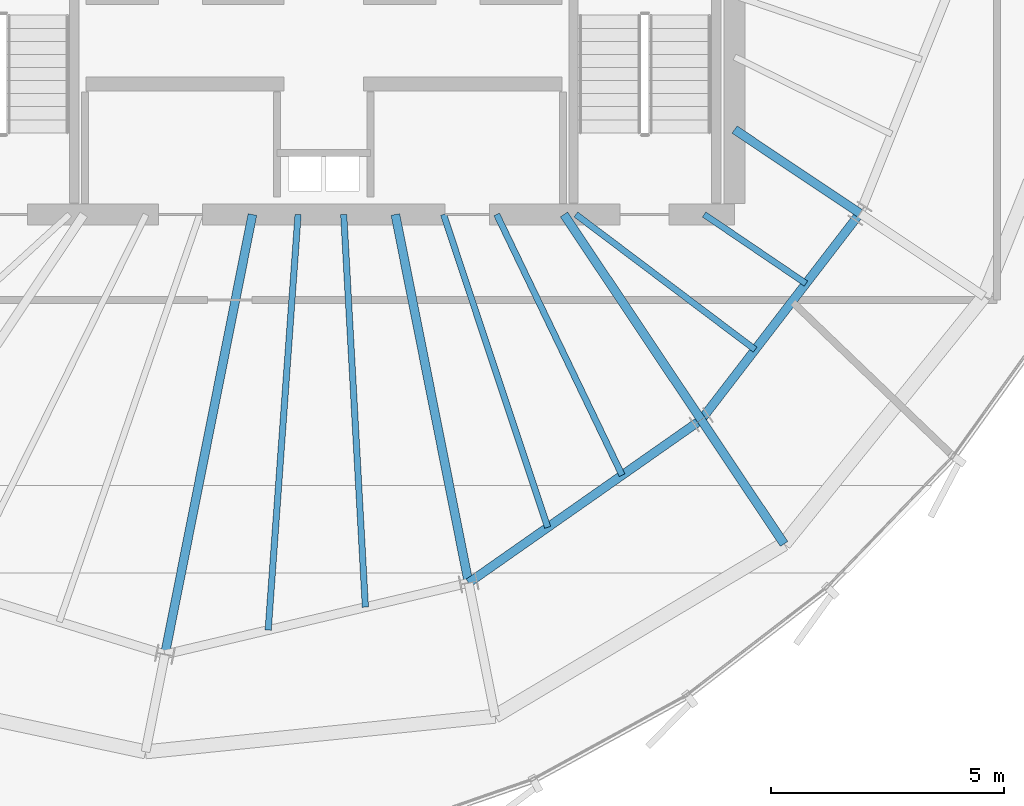
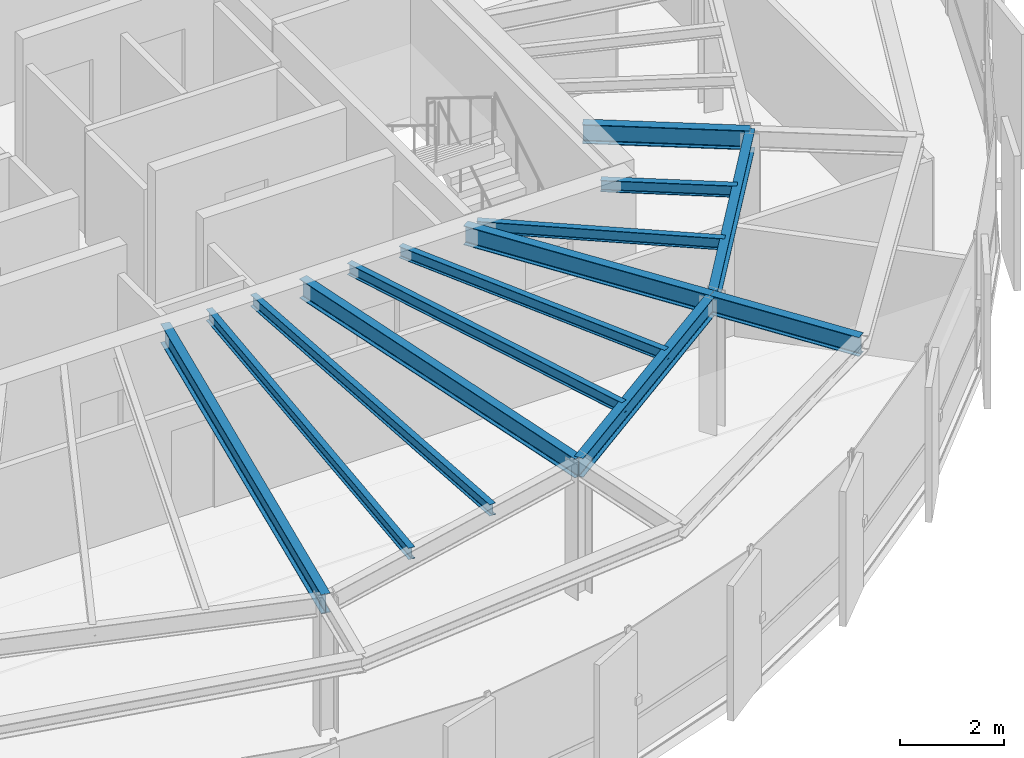
# One storey, part 8 of 31: 13 beams.
"""IFC4 building model written with IfcOpenShell, lengths in metres."""

from ifc_helpers import new_model, si_unit, direction, frame, origin, origin_2d, place, context, subcontext, project, spatial, i_section, extrude, source, transform, mapped, material, material_profile, profile_set, type_object, element, save


model = new_model("IFC4")

# Units and contexts
model_context = context("Model", 3, precision=1e-05, world=origin(), true_north=direction((0.0, 1.0)))
body_context = subcontext(model_context, "Body", "Model", "MODEL_VIEW")
ifc_project = project(units=[si_unit("LENGTHUNIT", "METRE"), si_unit("AREAUNIT", "SQUARE_METRE"), si_unit("VOLUMEUNIT", "CUBIC_METRE"), si_unit("PLANEANGLEUNIT", "RADIAN"), si_unit("MASSUNIT", "GRAM", prefix="KILO"), si_unit("THERMODYNAMICTEMPERATUREUNIT", "KELVIN")], contexts=[model_context])

# Site, building, storey
site_placement = place(None, origin())
site = spatial("IfcSite", under=ifc_project, at=site_placement, CompositionType="ELEMENT")
building_placement = place(site_placement, origin())
building = spatial("IfcBuilding", under=site, at=building_placement, Name="Kethvar Cultural Tower", CompositionType="ELEMENT")
storey_placement = place(building_placement, frame((0.0, 0.0, 269.800048828125)))
storey = spatial("IfcBuildingStorey", under=building, at=storey_placement, Name="L71", CompositionType="ELEMENT", Elevation=269.800048828125)

# Beams
ifc_material = material(Name="Steel S355J2", Category="steel")
ifc_material_profile_1 = material_profile(ifc_material, i_section(OverallWidth=0.18994140625, OverallDepth=0.449951171875, WebThickness=0.009521484375, FlangeThickness=0.0146484375, FilletRadius=0.02099609375, at=origin_2d()), Name="Steel S355J2 — IPE450")
ifc_profile_set_1 = profile_set([ifc_material_profile_1], Name="Steel S355J2 — IPE450")
beam_type_1 = type_object("IfcBeamType", Name="BM-IPE450", PredefinedType="BEAM", material=ifc_profile_set_1)
shared_shape_1 = source(origin(), body_context, "Body", "SweptSolid", [
    extrude(i_section(OverallWidth=0.18994140625, OverallDepth=0.449951171875, WebThickness=0.009521484375, FlangeThickness=0.0146484375, FilletRadius=0.02099609375, at=origin_2d()), origin(), (0.0, 0.0, 1.0), 3.199951171875),
])
beam_1_placement = place(storey_placement, frame((54.885009765625, 15.7001953125, 2.98291015625), z_axis=(0.555492222339, -0.83152173208, 0.0), x_axis=(0.83152173208, 0.555492222339, 0.0)))
element("IfcBeam", 1, at=beam_1_placement, inside=storey, type_object=beam_type_1, Name="L71 Perimeter Cantilever Beam RC-14", PredefinedType="BEAM", context=body_context, shape_type="MappedRepresentation", body=[
    mapped(shared_shape_1, transform((0.0, 0.0, 0.0), scale=1.0)),
])
shared_shape_2 = source(origin(), body_context, "Body", "SweptSolid", [
    extrude(i_section(OverallWidth=0.18994140625, OverallDepth=0.449951171875, WebThickness=0.009521484375, FlangeThickness=0.0146484375, FilletRadius=0.02099609375, at=origin_2d()), origin(), (0.0, 0.0, 1.0), 9.613525390625),
])
beam_2_placement = place(storey_placement, frame((45.268310546875, 20.10009765625, 2.98291015625), z_axis=(-0.195090428816, -0.980785259159, 0.0), x_axis=(0.980785259159, -0.195090428816, 0.0)))
element("IfcBeam", 2, at=beam_2_placement, inside=storey, type_object=beam_type_1, Name="L71 Primary Radial Beam RB-12", PredefinedType="BEAM", context=body_context, shape_type="MappedRepresentation", body=[
    mapped(shared_shape_2, transform((0.0, 0.0, 0.0), scale=1.0)),
])
shared_shape_3 = source(origin(), body_context, "Body", "SweptSolid", [
    extrude(i_section(OverallWidth=0.18994140625, OverallDepth=0.449951171875, WebThickness=0.009521484375, FlangeThickness=0.0146484375, FilletRadius=0.02099609375, at=origin_2d()), origin(), (0.0, 0.0, 1.0), 8.0478515625),
])
beam_3_placement = place(storey_placement, frame((48.33154296875, 20.10009765625, 2.98291015625), z_axis=(0.195089278796, -0.980785487912, 0.0), x_axis=(0.980785487912, 0.195089278796, 0.0)))
element("IfcBeam", 3, at=beam_3_placement, inside=storey, type_object=beam_type_1, Name="L71 Primary Radial Beam RB-13", PredefinedType="BEAM", context=body_context, shape_type="MappedRepresentation", body=[
    mapped(shared_shape_3, transform((0.0, 0.0, 0.0), scale=1.0)),
])
shared_shape_4 = source(origin(), body_context, "Body", "SweptSolid", [
    extrude(i_section(OverallWidth=0.18994140625, OverallDepth=0.449951171875, WebThickness=0.009521484375, FlangeThickness=0.0146484375, FilletRadius=0.02099609375, at=origin_2d()), origin(), (0.0, 0.0, 1.0), 5.291748046875),
])
beam_4_placement = place(storey_placement, frame((51.945068359375, 20.10009765625, 2.98291015625), z_axis=(0.555572931011, -0.831467809556, 0.0), x_axis=(0.831467809556, 0.555572931011, 0.0)))
element("IfcBeam", 4, at=beam_4_placement, inside=storey, type_object=beam_type_1, Name="L71 Primary Radial Beam RB-14", PredefinedType="BEAM", context=body_context, shape_type="MappedRepresentation", body=[
    mapped(shared_shape_4, transform((0.0, 0.0, 0.0), scale=1.0)),
])
shared_shape_5 = source(origin(), body_context, "Body", "SweptSolid", [
    extrude(i_section(OverallWidth=0.18994140625, OverallDepth=0.449951171875, WebThickness=0.009521484375, FlangeThickness=0.0146484375, FilletRadius=0.02099609375, at=origin_2d()), origin(), (0.0, 0.0, 1.0), 3.231689453125),
])
beam_5_placement = place(storey_placement, frame((55.60009765625, 21.919921875, 2.98291015625), z_axis=(0.831468708055, -0.55557158632, 0.0), x_axis=(0.55557158632, 0.831468708055, 0.0)))
element("IfcBeam", 5, at=beam_5_placement, inside=storey, type_object=beam_type_1, Name="L71 Primary Radial Beam RB-15", PredefinedType="BEAM", context=body_context, shape_type="MappedRepresentation", body=[
    mapped(shared_shape_5, transform((0.0, 0.0, 0.0), scale=1.0)),
])
ifc_material_profile_2 = material_profile(ifc_material, i_section(OverallWidth=0.135009765625, OverallDepth=0.27001953125, WebThickness=0.006591796875, FlangeThickness=0.01025390625, FilletRadius=0.014892578125, at=origin_2d()), Name="Steel S355J2 — IPE270")
ifc_profile_set_2 = profile_set([ifc_material_profile_2], Name="Steel S355J2 — IPE270")
beam_type_2 = type_object("IfcBeamType", Name="BM-J270", PredefinedType="JOIST", material=ifc_profile_set_2)
shared_shape_6 = source(origin(), body_context, "Body", "SweptSolid", [
    extrude(i_section(OverallWidth=0.135009765625, OverallDepth=0.27001953125, WebThickness=0.006591796875, FlangeThickness=0.01025390625, FilletRadius=0.014892578125, at=origin_2d()), origin(), (0.0, 0.0, 1.0), 8.9296875),
])
beam_6_placement = place(storey_placement, frame((46.246337890625, 20.10009765625, 3.072998046875), z_axis=(-0.071713352262, -0.99742528297, 0.0), x_axis=(0.99742528297, -0.071713352262, 0.0)))
element("IfcBeam", 6, at=beam_6_placement, inside=storey, type_object=beam_type_2, Name="L71 Composite Floor Joist J-12A", PredefinedType="JOIST", context=body_context, shape_type="MappedRepresentation", body=[
    mapped(shared_shape_6, transform((0.0, 0.0, 0.0), scale=1.0)),
])
shared_shape_7 = source(origin(), body_context, "Body", "SweptSolid", [
    extrude(i_section(OverallWidth=0.135009765625, OverallDepth=0.27001953125, WebThickness=0.006591796875, FlangeThickness=0.01025390625, FilletRadius=0.014892578125, at=origin_2d()), origin(), (0.0, 0.0, 1.0), 8.427978515625),
])
beam_7_placement = place(storey_placement, frame((47.224609375, 20.10009765625, 3.072998046875), z_axis=(0.055067321535, -0.998482643865, 0.0), x_axis=(0.998482643865, 0.055067321535, 0.0)))
element("IfcBeam", 7, at=beam_7_placement, inside=storey, type_object=beam_type_2, Name="L71 Composite Floor Joist J-12B", PredefinedType="JOIST", context=body_context, shape_type="MappedRepresentation", body=[
    mapped(shared_shape_7, transform((0.0, 0.0, 0.0), scale=1.0)),
])
shared_shape_8 = source(origin(), body_context, "Body", "SweptSolid", [
    extrude(i_section(OverallWidth=0.18994140625, OverallDepth=0.449951171875, WebThickness=0.009521484375, FlangeThickness=0.0146484375, FilletRadius=0.02099609375, at=origin_2d()), origin(), (0.0, 0.0, 1.0), 6.0859375),
])
beam_8_placement = place(storey_placement, frame((49.901611328125, 12.206787109375, 2.98291015625), z_axis=(0.818843498091, 0.57401683393, 0.0), x_axis=(-0.57401683393, 0.818843498091, 0.0)))
element("IfcBeam", 8, at=beam_8_placement, inside=storey, type_object=beam_type_1, Name="L71 Column Ring Tie Beam CR-13", PredefinedType="BEAM", context=body_context, shape_type="MappedRepresentation", body=[
    mapped(shared_shape_8, transform((0.0, 0.0, 0.0), scale=1.0)),
])
shared_shape_9 = source(origin(), body_context, "Body", "SweptSolid", [
    extrude(i_section(OverallWidth=0.135009765625, OverallDepth=0.27001953125, WebThickness=0.006591796875, FlangeThickness=0.01025390625, FilletRadius=0.014892578125, at=origin_2d()), origin(), (0.0, 0.0, 1.0), 7.0673828125),
])
beam_9_placement = place(storey_placement, frame((49.363525390625, 20.10009765625, 3.072998046875), z_axis=(0.315875389768, -0.948800684095, 0.0), x_axis=(0.948800684095, 0.315875389768, 0.0)))
element("IfcBeam", 9, at=beam_9_placement, inside=storey, type_object=beam_type_2, Name="L71 Composite Floor Joist J-13A", PredefinedType="JOIST", context=body_context, shape_type="MappedRepresentation", body=[
    mapped(shared_shape_9, transform((0.0, 0.0, 0.0), scale=1.0)),
])
shared_shape_10 = source(origin(), body_context, "Body", "SweptSolid", [
    extrude(i_section(OverallWidth=0.135009765625, OverallDepth=0.27001953125, WebThickness=0.006591796875, FlangeThickness=0.01025390625, FilletRadius=0.014892578125, at=origin_2d()), origin(), (0.0, 0.0, 1.0), 6.2001953125),
])
beam_10_placement = place(storey_placement, frame((50.50341796875, 20.10009765625, 3.072998046875), z_axis=(0.433410678328, -0.901196529017, 0.0), x_axis=(0.901196529017, 0.433410678328, 0.0)))
element("IfcBeam", 10, at=beam_10_placement, inside=storey, type_object=beam_type_2, Name="L71 Composite Floor Joist J-13B", PredefinedType="JOIST", context=body_context, shape_type="MappedRepresentation", body=[
    mapped(shared_shape_10, transform((0.0, 0.0, 0.0), scale=1.0)),
])
shared_shape_11 = source(origin(), body_context, "Body", "SweptSolid", [
    extrude(i_section(OverallWidth=0.18994140625, OverallDepth=0.449951171875, WebThickness=0.009521484375, FlangeThickness=0.0146484375, FilletRadius=0.02099609375, at=origin_2d()), origin(), (0.0, 0.0, 1.0), 5.5810546875),
])
beam_11_placement = place(storey_placement, frame((54.885009765625, 15.7001953125, 2.98291015625), z_axis=(0.60957334008, 0.79272967843, 0.0), x_axis=(-0.79272967843, 0.60957334008, 0.0)))
element("IfcBeam", 11, at=beam_11_placement, inside=storey, type_object=beam_type_1, Name="L71 Column Ring Tie Beam CR-14", PredefinedType="BEAM", context=body_context, shape_type="MappedRepresentation", body=[
    mapped(shared_shape_11, transform((0.0, 0.0, 0.0), scale=1.0)),
])
shared_shape_12 = source(origin(), body_context, "Body", "SweptSolid", [
    extrude(i_section(OverallWidth=0.135009765625, OverallDepth=0.27001953125, WebThickness=0.006591796875, FlangeThickness=0.01025390625, FilletRadius=0.014892578125, at=origin_2d()), origin(), (0.0, 0.0, 1.0), 4.810791015625),
])
beam_12_placement = place(storey_placement, frame((52.199951171875, 20.10009765625, 3.072998046875), z_axis=(0.798542152732, -0.601938892505, 0.0), x_axis=(0.601938892505, 0.798542152732, 0.0)))
element("IfcBeam", 12, at=beam_12_placement, inside=storey, type_object=beam_type_2, Name="L71 Composite Floor Joist J-14A", PredefinedType="JOIST", context=body_context, shape_type="MappedRepresentation", body=[
    mapped(shared_shape_12, transform((0.0, 0.0, 0.0), scale=1.0)),
])
shared_shape_13 = source(origin(), body_context, "Body", "SweptSolid", [
    extrude(i_section(OverallWidth=0.135009765625, OverallDepth=0.27001953125, WebThickness=0.006591796875, FlangeThickness=0.01025390625, FilletRadius=0.014892578125, at=origin_2d()), origin(), (0.0, 0.0, 1.0), 2.635009765625),
])
beam_13_placement = place(storey_placement, frame((54.949951171875, 20.10009765625, 3.072998046875), z_axis=(0.827446562598, -0.561544464887, 0.0), x_axis=(0.561544464887, 0.827446562598, 0.0)))
element("IfcBeam", 13, at=beam_13_placement, inside=storey, type_object=beam_type_2, Name="L71 Composite Floor Joist J-14B", PredefinedType="JOIST", context=body_context, shape_type="MappedRepresentation", body=[
    mapped(shared_shape_13, transform((0.0, 0.0, 0.0), scale=1.0)),
])

save(model, "model.ifc")
